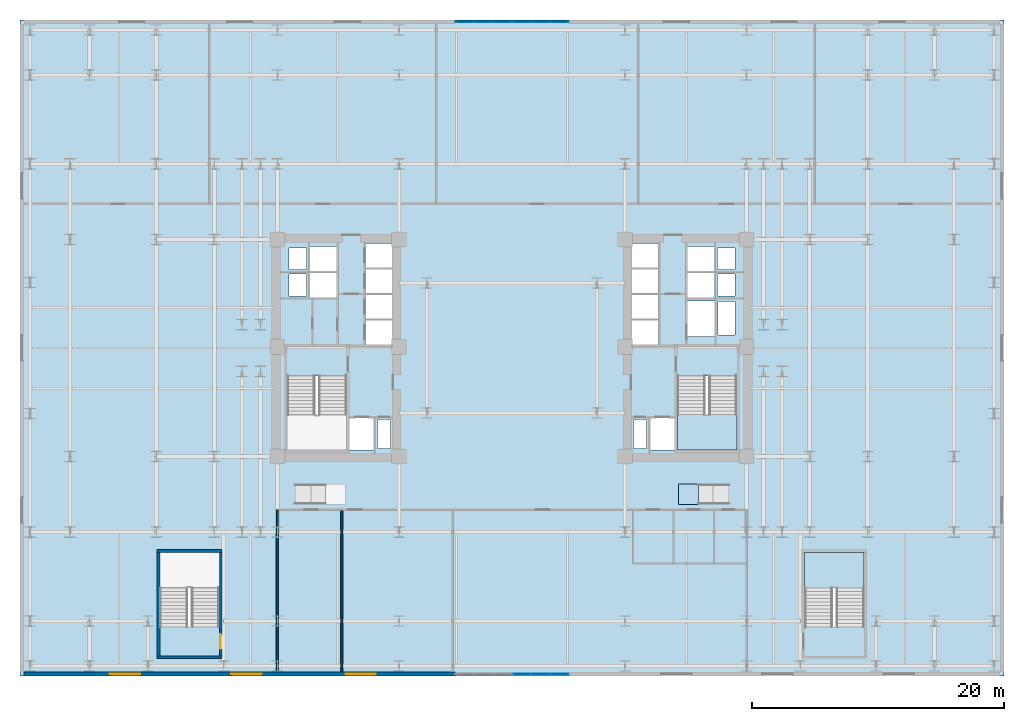
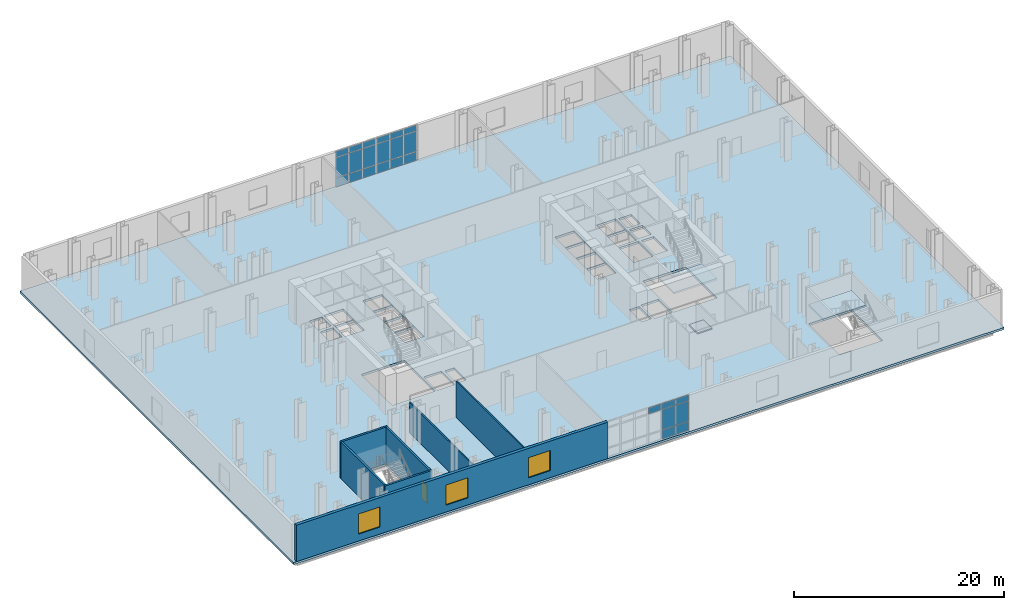
# One storey, part 7 of 13: 25 plates, 7 walls, 4 slabs, 3 windows, 1 door, 4 openings, 5 elements without a shape of their own.
"""IFC4 building model written with IfcOpenShell, lengths in metres."""

from ifc_helpers import new_model, si_unit, direction, frame, frame_2d, origin, origin_2d, place, context, subcontext, project, spatial, polyline, rectangle, outline, extrude, material, layer, layer_set, type_object, element, fill, aggregate, save


model = new_model("IFC4")

# Units and contexts
model_context = context("Model", 3, precision=1e-05, world=origin(), true_north=direction((0.0, 1.0)))
body_context = subcontext(model_context, "Body", "Model", "MODEL_VIEW")
ifc_project = project(units=[si_unit("LENGTHUNIT", "METRE"), si_unit("AREAUNIT", "SQUARE_METRE"), si_unit("VOLUMEUNIT", "CUBIC_METRE"), si_unit("PLANEANGLEUNIT", "RADIAN"), si_unit("MASSUNIT", "GRAM", prefix="KILO")], contexts=[model_context])

# Site, building, storey
site_placement = place(None, origin())
site = spatial("IfcSite", under=ifc_project, at=site_placement, CompositionType="ELEMENT")
building_placement = place(site_placement, origin())
building = spatial("IfcBuilding", under=site, at=building_placement, Name="Velakula Bourse", CompositionType="ELEMENT")
storey_placement = place(building_placement, frame((0.0, 0.0, 5.10009765625)))
storey = spatial("IfcBuildingStorey", under=building, at=storey_placement, Name="L01", CompositionType="ELEMENT", Elevation=5.10009765625)

# Curtain wall, plates
ifc_material_1 = material(Name="Anodised bronze architectural aluminium", Category="aluminium")
ifc_layer_1 = layer(ifc_material_1, 0.199951171875, Name="Anodised bronze architectural aluminium", Category="aluminium")
ifc_layer_set_1 = layer_set([ifc_layer_1], Name="Anodised bronze architectural aluminium")
curtain_wall_type = type_object("IfcCurtainWallType", Name="CW-ST1", PredefinedType="NOTDEFINED", material=ifc_layer_set_1)
curtain_wall_1_placement = place(storey_placement, origin())
curtain_wall_1 = element("IfcCurtainWall", 1, at=curtain_wall_1_placement, inside=storey, type_object=curtain_wall_type, Name="L01 South Station Galleria Curtain Wall 2", PredefinedType="NOTDEFINED")
ifc_material_2 = material(Name="Double-glazed solar-control Low-E glass", Category="glass")
ifc_layer_2 = layer(ifc_material_2, 0.028076171875, Name="Double-glazed solar-control Low-E glass", Category="glass")
ifc_layer_set_2 = layer_set([ifc_layer_2], Name="Double-glazed solar-control Low-E glass")
plate_type = type_object("IfcPlateType", Name="PNL-CW-ST1", PredefinedType="CURTAIN_PANEL", material=ifc_layer_set_2)
plate_1_placement = place(storey_placement, frame((3.735107421875, -25.840087890625, 0.06005859375), z_axis=(0.0, 0.0, 1.0), x_axis=(-1.0, 0.0, 0.0)))
plate_1 = element("IfcPlate", 2, at=plate_1_placement, type_object=plate_type, Name="CW-ST1 panel 1.1", PredefinedType="CURTAIN_PANEL", context=body_context, shape_type="SweptSolid", body=[
    extrude(rectangle(XDim=1.409912109375, YDim=0.028076171875, at=origin_2d()), origin(), (0.0, 0.0, 1.0), 1.010009765625),
])
plate_2_placement = place(storey_placement, frame((3.735107421875, -25.840087890625, 1.1298828125), z_axis=(0.0, 0.0, 1.0), x_axis=(-1.0, 0.0, 0.0)))
plate_2 = element("IfcPlate", 3, at=plate_2_placement, type_object=plate_type, Name="CW-ST1 panel 1.2", PredefinedType="CURTAIN_PANEL", context=body_context, shape_type="SweptSolid", body=[
    extrude(rectangle(XDim=1.409912109375, YDim=0.028076171875, at=origin_2d()), origin(), (0.0, 0.0, 1.0), 2.320068359375),
])
plate_3_placement = place(storey_placement, frame((3.735107421875, -25.840087890625, 3.509765625), z_axis=(0.0, 0.0, 1.0), x_axis=(-1.0, 0.0, 0.0)))
plate_3 = element("IfcPlate", 4, at=plate_3_placement, type_object=plate_type, Name="CW-ST1 panel 1.3", PredefinedType="CURTAIN_PANEL", context=body_context, shape_type="SweptSolid", body=[
    extrude(rectangle(XDim=1.409912109375, YDim=0.028076171875, at=origin_2d()), origin(), (0.0, 0.0, 1.0), 0.659912109375),
])
plate_4_placement = place(storey_placement, frame((2.25, -25.840087890625, 0.06005859375), z_axis=(0.0, 0.0, 1.0), x_axis=(-1.0, 0.0, 0.0)))
plate_4 = element("IfcPlate", 5, at=plate_4_placement, type_object=plate_type, Name="CW-ST1 panel 2.1", PredefinedType="CURTAIN_PANEL", context=body_context, shape_type="SweptSolid", body=[
    extrude(rectangle(XDim=1.43994140625, YDim=0.028076171875, at=origin_2d()), origin(), (0.0, 0.0, 1.0), 1.010009765625),
])
plate_5_placement = place(storey_placement, frame((2.25, -25.840087890625, 1.1298828125), z_axis=(0.0, 0.0, 1.0), x_axis=(-1.0, 0.0, 0.0)))
plate_5 = element("IfcPlate", 6, at=plate_5_placement, type_object=plate_type, Name="CW-ST1 panel 2.2", PredefinedType="CURTAIN_PANEL", context=body_context, shape_type="SweptSolid", body=[
    extrude(rectangle(XDim=1.43994140625, YDim=0.028076171875, at=origin_2d()), origin(), (0.0, 0.0, 1.0), 2.320068359375),
])
plate_6_placement = place(storey_placement, frame((2.25, -25.840087890625, 3.509765625), z_axis=(0.0, 0.0, 1.0), x_axis=(-1.0, 0.0, 0.0)))
plate_6 = element("IfcPlate", 7, at=plate_6_placement, type_object=plate_type, Name="CW-ST1 panel 2.3", PredefinedType="CURTAIN_PANEL", context=body_context, shape_type="SweptSolid", body=[
    extrude(rectangle(XDim=1.43994140625, YDim=0.028076171875, at=origin_2d()), origin(), (0.0, 0.0, 1.0), 0.659912109375),
])
plate_7_placement = place(storey_placement, frame((0.764892578125, -25.840087890625, 3.509765625), z_axis=(0.0, 0.0, 1.0), x_axis=(-1.0, 0.0, 0.0)))
plate_7 = element("IfcPlate", 8, at=plate_7_placement, type_object=plate_type, Name="CW-ST1 panel 3.3", PredefinedType="CURTAIN_PANEL", context=body_context, shape_type="SweptSolid", body=[
    extrude(rectangle(XDim=1.409912109375, YDim=0.028076171875, at=origin_2d()), origin(), (0.0, 0.0, 1.0), 0.659912109375),
])
aggregate(curtain_wall_1, [plate_1, plate_2, plate_3, plate_4, plate_5, plate_6, plate_7])

curtain_wall_2_placement = place(storey_placement, origin())
curtain_wall_2 = element("IfcCurtainWall", 9, at=curtain_wall_2_placement, inside=storey, type_object=curtain_wall_type, Name="L01 North Station Galleria Curtain Wall 2", PredefinedType="NOTDEFINED")
plate_8_placement = place(storey_placement, frame((-3.735107421875, 25.840087890625, 0.06005859375), z_axis=(0.0, 0.0, 1.0), x_axis=(1.0, 0.0, 0.0)))
plate_8 = element("IfcPlate", 10, at=plate_8_placement, type_object=plate_type, Name="CW-ST1 panel 1.1", PredefinedType="CURTAIN_PANEL", context=body_context, shape_type="SweptSolid", body=[
    extrude(rectangle(XDim=1.409912109375, YDim=0.028076171875, at=origin_2d()), origin(), (0.0, 0.0, 1.0), 1.010009765625),
])
plate_9_placement = place(storey_placement, frame((-3.735107421875, 25.840087890625, 1.1298828125), z_axis=(0.0, 0.0, 1.0), x_axis=(1.0, 0.0, 0.0)))
plate_9 = element("IfcPlate", 11, at=plate_9_placement, type_object=plate_type, Name="CW-ST1 panel 1.2", PredefinedType="CURTAIN_PANEL", context=body_context, shape_type="SweptSolid", body=[
    extrude(rectangle(XDim=1.409912109375, YDim=0.028076171875, at=origin_2d()), origin(), (0.0, 0.0, 1.0), 2.320068359375),
])
plate_10_placement = place(storey_placement, frame((-3.735107421875, 25.840087890625, 3.509765625), z_axis=(0.0, 0.0, 1.0), x_axis=(1.0, 0.0, 0.0)))
plate_10 = element("IfcPlate", 12, at=plate_10_placement, type_object=plate_type, Name="CW-ST1 panel 1.3", PredefinedType="CURTAIN_PANEL", context=body_context, shape_type="SweptSolid", body=[
    extrude(rectangle(XDim=1.409912109375, YDim=0.028076171875, at=origin_2d()), origin(), (0.0, 0.0, 1.0), 0.659912109375),
])
plate_11_placement = place(storey_placement, frame((-2.25, 25.840087890625, 0.06005859375), z_axis=(0.0, 0.0, 1.0), x_axis=(1.0, 0.0, 0.0)))
plate_11 = element("IfcPlate", 13, at=plate_11_placement, type_object=plate_type, Name="CW-ST1 panel 2.1", PredefinedType="CURTAIN_PANEL", context=body_context, shape_type="SweptSolid", body=[
    extrude(rectangle(XDim=1.43994140625, YDim=0.028076171875, at=origin_2d()), origin(), (0.0, 0.0, 1.0), 1.010009765625),
])
plate_12_placement = place(storey_placement, frame((-2.25, 25.840087890625, 1.1298828125), z_axis=(0.0, 0.0, 1.0), x_axis=(1.0, 0.0, 0.0)))
plate_12 = element("IfcPlate", 14, at=plate_12_placement, type_object=plate_type, Name="CW-ST1 panel 2.2", PredefinedType="CURTAIN_PANEL", context=body_context, shape_type="SweptSolid", body=[
    extrude(rectangle(XDim=1.43994140625, YDim=0.028076171875, at=origin_2d()), origin(), (0.0, 0.0, 1.0), 2.320068359375),
])
plate_13_placement = place(storey_placement, frame((-2.25, 25.840087890625, 3.509765625), z_axis=(0.0, 0.0, 1.0), x_axis=(1.0, 0.0, 0.0)))
plate_13 = element("IfcPlate", 15, at=plate_13_placement, type_object=plate_type, Name="CW-ST1 panel 2.3", PredefinedType="CURTAIN_PANEL", context=body_context, shape_type="SweptSolid", body=[
    extrude(rectangle(XDim=1.43994140625, YDim=0.028076171875, at=origin_2d()), origin(), (0.0, 0.0, 1.0), 0.659912109375),
])
plate_14_placement = place(storey_placement, frame((-0.764892578125, 25.840087890625, 0.06005859375), z_axis=(0.0, 0.0, 1.0), x_axis=(1.0, 0.0, 0.0)))
plate_14 = element("IfcPlate", 16, at=plate_14_placement, type_object=plate_type, Name="CW-ST1 panel 3.1", PredefinedType="CURTAIN_PANEL", context=body_context, shape_type="SweptSolid", body=[
    extrude(rectangle(XDim=1.409912109375, YDim=0.028076171875, at=origin_2d()), origin(), (0.0, 0.0, 1.0), 1.010009765625),
])
plate_15_placement = place(storey_placement, frame((-0.764892578125, 25.840087890625, 1.1298828125), z_axis=(0.0, 0.0, 1.0), x_axis=(1.0, 0.0, 0.0)))
plate_15 = element("IfcPlate", 17, at=plate_15_placement, type_object=plate_type, Name="CW-ST1 panel 3.2", PredefinedType="CURTAIN_PANEL", context=body_context, shape_type="SweptSolid", body=[
    extrude(rectangle(XDim=1.409912109375, YDim=0.028076171875, at=origin_2d()), origin(), (0.0, 0.0, 1.0), 2.320068359375),
])
plate_16_placement = place(storey_placement, frame((-0.764892578125, 25.840087890625, 3.509765625), z_axis=(0.0, 0.0, 1.0), x_axis=(1.0, 0.0, 0.0)))
plate_16 = element("IfcPlate", 18, at=plate_16_placement, type_object=plate_type, Name="CW-ST1 panel 3.3", PredefinedType="CURTAIN_PANEL", context=body_context, shape_type="SweptSolid", body=[
    extrude(rectangle(XDim=1.409912109375, YDim=0.028076171875, at=origin_2d()), origin(), (0.0, 0.0, 1.0), 0.659912109375),
])
aggregate(curtain_wall_2, [plate_8, plate_9, plate_10, plate_11, plate_12, plate_13, plate_14, plate_15, plate_16])

curtain_wall_3_placement = place(storey_placement, origin())
curtain_wall_3 = element("IfcCurtainWall", 19, at=curtain_wall_3_placement, inside=storey, type_object=curtain_wall_type, Name="L01 North Station Galleria Curtain Wall 3", PredefinedType="NOTDEFINED")
plate_17_placement = place(storey_placement, frame((0.764892578125, 25.840087890625, 0.06005859375), z_axis=(0.0, 0.0, 1.0), x_axis=(1.0, 0.0, 0.0)))
plate_17 = element("IfcPlate", 20, at=plate_17_placement, type_object=plate_type, Name="CW-ST1 panel 1.1", PredefinedType="CURTAIN_PANEL", context=body_context, shape_type="SweptSolid", body=[
    extrude(rectangle(XDim=1.409912109375, YDim=0.028076171875, at=origin_2d()), origin(), (0.0, 0.0, 1.0), 1.010009765625),
])
plate_18_placement = place(storey_placement, frame((0.764892578125, 25.840087890625, 1.1298828125), z_axis=(0.0, 0.0, 1.0), x_axis=(1.0, 0.0, 0.0)))
plate_18 = element("IfcPlate", 21, at=plate_18_placement, type_object=plate_type, Name="CW-ST1 panel 1.2", PredefinedType="CURTAIN_PANEL", context=body_context, shape_type="SweptSolid", body=[
    extrude(rectangle(XDim=1.409912109375, YDim=0.028076171875, at=origin_2d()), origin(), (0.0, 0.0, 1.0), 2.320068359375),
])
plate_19_placement = place(storey_placement, frame((0.764892578125, 25.840087890625, 3.509765625), z_axis=(0.0, 0.0, 1.0), x_axis=(1.0, 0.0, 0.0)))
plate_19 = element("IfcPlate", 22, at=plate_19_placement, type_object=plate_type, Name="CW-ST1 panel 1.3", PredefinedType="CURTAIN_PANEL", context=body_context, shape_type="SweptSolid", body=[
    extrude(rectangle(XDim=1.409912109375, YDim=0.028076171875, at=origin_2d()), origin(), (0.0, 0.0, 1.0), 0.659912109375),
])
plate_20_placement = place(storey_placement, frame((2.25, 25.840087890625, 0.06005859375), z_axis=(0.0, 0.0, 1.0), x_axis=(1.0, 0.0, 0.0)))
plate_20 = element("IfcPlate", 23, at=plate_20_placement, type_object=plate_type, Name="CW-ST1 panel 2.1", PredefinedType="CURTAIN_PANEL", context=body_context, shape_type="SweptSolid", body=[
    extrude(rectangle(XDim=1.43994140625, YDim=0.028076171875, at=origin_2d()), origin(), (0.0, 0.0, 1.0), 1.010009765625),
])
plate_21_placement = place(storey_placement, frame((2.25, 25.840087890625, 1.1298828125), z_axis=(0.0, 0.0, 1.0), x_axis=(1.0, 0.0, 0.0)))
plate_21 = element("IfcPlate", 24, at=plate_21_placement, type_object=plate_type, Name="CW-ST1 panel 2.2", PredefinedType="CURTAIN_PANEL", context=body_context, shape_type="SweptSolid", body=[
    extrude(rectangle(XDim=1.43994140625, YDim=0.028076171875, at=origin_2d()), origin(), (0.0, 0.0, 1.0), 2.320068359375),
])
plate_22_placement = place(storey_placement, frame((2.25, 25.840087890625, 3.509765625), z_axis=(0.0, 0.0, 1.0), x_axis=(1.0, 0.0, 0.0)))
plate_22 = element("IfcPlate", 25, at=plate_22_placement, type_object=plate_type, Name="CW-ST1 panel 2.3", PredefinedType="CURTAIN_PANEL", context=body_context, shape_type="SweptSolid", body=[
    extrude(rectangle(XDim=1.43994140625, YDim=0.028076171875, at=origin_2d()), origin(), (0.0, 0.0, 1.0), 0.659912109375),
])
plate_23_placement = place(storey_placement, frame((3.735107421875, 25.840087890625, 0.06005859375), z_axis=(0.0, 0.0, 1.0), x_axis=(1.0, 0.0, 0.0)))
plate_23 = element("IfcPlate", 26, at=plate_23_placement, type_object=plate_type, Name="CW-ST1 panel 3.1", PredefinedType="CURTAIN_PANEL", context=body_context, shape_type="SweptSolid", body=[
    extrude(rectangle(XDim=1.409912109375, YDim=0.028076171875, at=origin_2d()), origin(), (0.0, 0.0, 1.0), 1.010009765625),
])
plate_24_placement = place(storey_placement, frame((3.735107421875, 25.840087890625, 1.1298828125), z_axis=(0.0, 0.0, 1.0), x_axis=(1.0, 0.0, 0.0)))
plate_24 = element("IfcPlate", 27, at=plate_24_placement, type_object=plate_type, Name="CW-ST1 panel 3.2", PredefinedType="CURTAIN_PANEL", context=body_context, shape_type="SweptSolid", body=[
    extrude(rectangle(XDim=1.409912109375, YDim=0.028076171875, at=origin_2d()), origin(), (0.0, 0.0, 1.0), 2.320068359375),
])
plate_25_placement = place(storey_placement, frame((3.735107421875, 25.840087890625, 3.509765625), z_axis=(0.0, 0.0, 1.0), x_axis=(1.0, 0.0, 0.0)))
plate_25 = element("IfcPlate", 28, at=plate_25_placement, type_object=plate_type, Name="CW-ST1 panel 3.3", PredefinedType="CURTAIN_PANEL", context=body_context, shape_type="SweptSolid", body=[
    extrude(rectangle(XDim=1.409912109375, YDim=0.028076171875, at=origin_2d()), origin(), (0.0, 0.0, 1.0), 0.659912109375),
])
aggregate(curtain_wall_3, [plate_17, plate_18, plate_19, plate_20, plate_21, plate_22, plate_23, plate_24, plate_25])

# Slabs
ifc_material_3 = material(Name="Concrete M50 (fck 50 MPa)", Category="concrete")
ifc_layer_3 = layer(ifc_material_3, 0.25, Name="Concrete M50 (fck 50 MPa)", Category="concrete")
ifc_layer_set_3 = layer_set([ifc_layer_3], Name="Concrete M50 (fck 50 MPa)")
slab_type_1 = type_object("IfcSlabType", Name="SLB-POD-250", PredefinedType="FLOOR", material=ifc_layer_set_3)
slab_1_placement = place(storey_placement, frame((0.0, 0.0, -0.25)))
element("IfcSlab", 29, at=slab_1_placement, inside=storey, type_object=slab_type_1, Name="L01 Suspended Structural Floor Slab", PredefinedType="FLOOR", context=body_context, shape_type="SweptSolid", body=[
    extrude(outline(polyline([(-39.0, -26.0), (39.0, -26.0), (39.0, 26.0), (-39.0, 26.0), (-39.0, -26.0)]), holes=[polyline([(-17.820068359375, -8.10009765625), (-13.10009765625, -8.10009765625), (-13.10009765625, -2.199951171875), (-17.820068359375, -2.199951171875), (-17.820068359375, -8.10009765625)]), polyline([(13.10009765625, -8.10009765625), (17.820068359375, -8.10009765625), (17.820068359375, -2.199951171875), (13.10009765625, -2.199951171875), (13.10009765625, -8.10009765625)]), polyline([(-27.919921875, -22.10009765625), (-23.199951171875, -22.10009765625), (-23.199951171875, -16.199951171875), (-27.919921875, -16.199951171875), (-27.919921875, -22.10009765625)]), polyline([(23.199951171875, -22.10009765625), (27.919921875, -22.10009765625), (27.919921875, -16.199951171875), (23.199951171875, -16.199951171875), (23.199951171875, -22.10009765625)]), polyline([(-12.89990234375, -8.10009765625), (-10.949951171875, -8.10009765625), (-10.949951171875, -5.550048828125), (-12.89990234375, -5.550048828125), (-12.89990234375, -8.10009765625)]), polyline([(10.949951171875, -8.10009765625), (12.89990234375, -8.10009765625), (12.89990234375, -5.550048828125), (10.949951171875, -5.550048828125), (10.949951171875, -8.10009765625)]), polyline([(13.89990234375, 0.919921875), (16.050048828125, 0.919921875), (16.050048828125, 3.719970703125), (13.89990234375, 3.719970703125), (13.89990234375, 0.919921875)]), polyline([(-10.679931640625, -7.97998046875), (-9.6201171875, -7.97998046875), (-9.6201171875, -5.669921875), (-10.679931640625, -5.669921875), (-10.679931640625, -7.97998046875)]), polyline([(-17.679931640625, 4.139892578125), (-16.27001953125, 4.139892578125), (-16.27001953125, 5.85009765625), (-17.679931640625, 5.85009765625), (-17.679931640625, 4.139892578125)]), polyline([(-17.679931640625, 6.2099609375), (-16.27001953125, 6.2099609375), (-16.27001953125, 7.919921875), (-17.679931640625, 7.919921875), (-17.679931640625, 6.2099609375)]), polyline([(9.6201171875, -7.97998046875), (10.679931640625, -7.97998046875), (10.679931640625, -5.669921875), (9.6201171875, -5.669921875), (9.6201171875, -7.97998046875)]), polyline([(16.27001953125, 4.139892578125), (17.679931640625, 4.139892578125), (17.679931640625, 5.85009765625), (16.27001953125, 5.85009765625), (16.27001953125, 4.139892578125)]), polyline([(16.27001953125, 6.2099609375), (17.679931640625, 6.2099609375), (17.679931640625, 7.919921875), (16.27001953125, 7.919921875), (16.27001953125, 6.2099609375)]), polyline([(16.320068359375, 1.0400390625), (17.679931640625, 1.0400390625), (17.679931640625, 3.699951171875), (16.320068359375, 3.699951171875), (16.320068359375, 1.0400390625)]), polyline([(-11.60009765625, 0.280029296875), (-9.5, 0.280029296875), (-9.5, 2.199951171875), (-11.60009765625, 2.199951171875), (-11.60009765625, 0.280029296875)]), polyline([(-11.60009765625, 2.31005859375), (-9.5, 2.31005859375), (-9.5, 4.22998046875), (-11.60009765625, 4.22998046875), (-11.60009765625, 2.31005859375)]), polyline([(-11.60009765625, 4.340087890625), (-9.5, 4.340087890625), (-9.5, 6.260009765625), (-11.60009765625, 6.260009765625), (-11.60009765625, 4.340087890625)]), polyline([(-11.60009765625, 6.3701171875), (-9.5, 6.3701171875), (-9.5, 8.2900390625), (-11.60009765625, 8.2900390625), (-11.60009765625, 6.3701171875)]), polyline([(9.5, 0.280029296875), (11.60009765625, 0.280029296875), (11.60009765625, 2.199951171875), (9.5, 2.199951171875), (9.5, 0.280029296875)]), polyline([(9.5, 2.31005859375), (11.60009765625, 2.31005859375), (11.60009765625, 4.22998046875), (9.5, 4.22998046875), (9.5, 2.31005859375)]), polyline([(9.5, 4.340087890625), (11.60009765625, 4.340087890625), (11.60009765625, 6.260009765625), (9.5, 6.260009765625), (9.5, 4.340087890625)]), polyline([(9.5, 6.3701171875), (11.60009765625, 6.3701171875), (11.60009765625, 8.2900390625), (9.5, 8.2900390625), (9.5, 6.3701171875)]), polyline([(-16.0, 4.02001953125), (-13.89990234375, 4.02001953125), (-13.89990234375, 5.969970703125), (-16.0, 5.969970703125), (-16.0, 4.02001953125)]), polyline([(-16.0, 6.090087890625), (-13.89990234375, 6.090087890625), (-13.89990234375, 8.0400390625), (-16.0, 8.0400390625), (-16.0, 6.090087890625)]), polyline([(13.89990234375, 4.02001953125), (16.0, 4.02001953125), (16.0, 5.969970703125), (13.89990234375, 5.969970703125), (13.89990234375, 4.02001953125)]), polyline([(13.89990234375, 6.090087890625), (16.0, 6.090087890625), (16.0, 8.0400390625), (13.89990234375, 8.0400390625), (13.89990234375, 6.090087890625)])]), origin(), (0.0, 0.0, 1.0), 0.25),
])
ifc_material_4 = material(Name="Concrete M45 (fck 45 MPa)", Category="concrete")
ifc_layer_4 = layer(ifc_material_4, 0.2099609375, Name="Concrete M45 (fck 45 MPa)", Category="concrete")
ifc_layer_set_4 = layer_set([ifc_layer_4], Name="Concrete M45 (fck 45 MPa)")
slab_type_2 = type_object("IfcSlabType", Name="SLB-RAMP-LND-210", PredefinedType="LANDING", material=ifc_layer_set_4)
slab_2_placement = place(storey_placement, origin())
element("IfcSlab", 30, at=slab_2_placement, inside=storey, type_object=slab_type_2, Name="L01 East Concourse Step-Free Ramp Upper Concourse Landing", PredefinedType="LANDING", context=body_context, shape_type="SweptSolid", body=[
    extrude(outline(polyline([(13.199951171875, -12.39990234375), (14.800048828125, -12.39990234375), (14.800048828125, -10.800048828125), (13.199951171875, -10.800048828125), (13.199951171875, -12.39990234375)])), origin(), (0.0, 0.0, 1.0), 0.14990234375),
])

# Stair, slab
stair_type = type_object("IfcStairType", Name="STR-DOG-435", PredefinedType="HALF_TURN_STAIR", material=ifc_material_4)
stair_1_placement = place(storey_placement, origin())
stair_1 = element("IfcStair", 31, at=stair_1_placement, inside=storey, type_object=stair_type, Name="L01 East Core Exit Stair ST-E1", PredefinedType="HALF_TURN_STAIR")
ifc_layer_5 = layer(ifc_material_4, 0.199951171875, Name="Concrete M45 (fck 45 MPa)", Category="concrete")
ifc_layer_set_5 = layer_set([ifc_layer_5], Name="Concrete M45 (fck 45 MPa)")
slab_type_3 = type_object("IfcSlabType", Name="SLB-STAIR-LND-200", PredefinedType="LANDING", material=ifc_layer_set_5)
slab_3_placement = place(storey_placement, frame((0.0, 0.0, 2.0498046875)))
slab_3 = element("IfcSlab", 32, at=slab_3_placement, type_object=slab_type_3, Name="ST-E1 landing 1", PredefinedType="LANDING", context=body_context, shape_type="SweptSolid", body=[
    extrude(outline(polyline([(13.10009765625, -5.280029296875), (13.10009765625, -8.10009765625), (17.820068359375, -8.10009765625), (17.820068359375, -5.280029296875), (13.10009765625, -5.280029296875)])), origin(), (0.0, 0.0, 1.0), 0.2001953125),
])
aggregate(stair_1, [slab_3])

stair_2_placement = place(storey_placement, origin())
stair_2 = element("IfcStair", 33, at=stair_2_placement, inside=storey, type_object=stair_type, Name="L01 East Podium Exit Stair ST-P2", PredefinedType="HALF_TURN_STAIR")
slab_4_placement = place(storey_placement, frame((0.0, 0.0, 2.0498046875)))
slab_4 = element("IfcSlab", 34, at=slab_4_placement, type_object=slab_type_3, Name="ST-P2 landing 1", PredefinedType="LANDING", context=body_context, shape_type="SweptSolid", body=[
    extrude(outline(polyline([(27.919921875, -19.02001953125), (27.919921875, -16.199951171875), (23.199951171875, -16.199951171875), (23.199951171875, -19.02001953125), (27.919921875, -19.02001953125)])), origin(), (0.0, 0.0, 1.0), 0.2001953125),
])
aggregate(stair_2, [slab_4])

# Walls
ifc_layer_6 = layer(ifc_material_3, 0.2099609375, Name="Concrete M50 (fck 50 MPa)", Category="concrete")
ifc_layer_set_6 = layer_set([ifc_layer_6], Name="Concrete M50 (fck 50 MPa)")
wall_type_1 = type_object("IfcWallType", Name="WL-CORE-210", PredefinedType="SHEAR", material=ifc_layer_set_6)
for number, where, z_axis, x_axis, name in (
    (35, (-28.1298828125, -24.5048828125, 0.0), (0.0, 0.0, 1.0), (1.0, 0.0, 0.0), "L01 Podium Stair ST-P1 Shear Wall S"),
    (36, (-28.1298828125, -16.094970703125, 0.0), (0.0, 0.0, 1.0), (1.0, 0.0, 0.0), "L01 Podium Stair ST-P1 Shear Wall N"),
):
    element("IfcWall", number, at=place(storey_placement, frame(where, z_axis=z_axis, x_axis=x_axis)), inside=storey, type_object=wall_type_1, Name=name, PredefinedType="SHEAR", context=body_context, shape_type="SweptSolid", body=[
        extrude(rectangle(XDim=5.139892578125, YDim=0.2099609375, at=frame_2d((2.56982421875, 0.0))), origin(), (0.0, 0.0, 1.0), 4.25),
    ])
wall_1_placement = place(storey_placement, frame((-28.02490234375, -24.39990234375, 0.0), z_axis=(0.0, 0.0, 1.0), x_axis=(0.0, 1.0, 0.0)))
element("IfcWall", 37, at=wall_1_placement, inside=storey, type_object=wall_type_1, Name="L01 Podium Stair ST-P1 Shear Wall W", PredefinedType="SHEAR", context=body_context, shape_type="SweptSolid", body=[
    extrude(rectangle(XDim=8.199951171875, YDim=0.2099609375, at=frame_2d((4.10009765625, 0.0))), origin(), (0.0, 0.0, 1.0), 4.25),
])

# Wall, opening, door
wall_2_placement = place(storey_placement, frame((-23.094970703125, -24.39990234375, 0.0), z_axis=(0.0, 0.0, 1.0), x_axis=(0.0, 1.0, 0.0)))
wall_2 = element("IfcWall", 38, at=wall_2_placement, inside=storey, type_object=wall_type_1, Name="L01 Podium Stair ST-P1 Shear Wall E", PredefinedType="SHEAR", context=body_context, shape_type="SweptSolid", body=[
    extrude(rectangle(XDim=8.199951171875, YDim=0.2099609375, at=frame_2d((4.10009765625, 0.0))), origin(), (0.0, 0.0, 1.0), 4.25),
])
opening_1_placement = place(wall_2_placement, frame((0.550048828125, 0.0, 0.0)))
opening_1 = element("IfcOpeningElement", 39, at=opening_1_placement, cuts=wall_2, Name="Opening D-P1", PredefinedType="OPENING", context=body_context, shape_type="SweptSolid", body=[
    extrude(rectangle(XDim=1.14990234375, YDim=2.10009765625, at=frame_2d((0.574951171875, 1.050048828125))), frame((0.0, 0.114990234375, 0.0), z_axis=(0.0, -1.0, 0.0), x_axis=(1.0, 0.0, 0.0)), (0.0, 0.0, 1.0), 0.22998046875),
])
ifc_material_5 = material(Name="Galvanised painted hollow steel fire door", Category="steel")
door_type = type_object("IfcDoorType", Name="DR-FD120-1150x2100", OperationType="NOTDEFINED", PredefinedType="DOOR", material=ifc_material_5)
door_placement = place(opening_1_placement, origin())
door = element("IfcDoor", 40, at=door_placement, inside=storey, type_object=door_type, Name="L01 Stair ST-P1 Fire Door", OperationType="SINGLE_SWING_LEFT", OverallHeight=2.10009765625, OverallWidth=1.14990234375, PredefinedType="DOOR", context=body_context, shape_type="SweptSolid", body=[
    extrude(rectangle(XDim=1.14990234375, YDim=2.10009765625, at=frame_2d((0.574951171875, 1.050048828125))), frame((0.0, 0.02490234375, 0.0), z_axis=(0.0, -1.0, 0.0), x_axis=(1.0, 0.0, 0.0)), (0.0, 0.0, 1.0), 0.050048828125),
])
fill(opening_1, door)

# Wall, openings, windows
ifc_material_6 = material(Name="Red kilned clay facing brick masonry", Category="masonry")
ifc_layer_7 = layer(ifc_material_6, 0.320068359375, Name="Red kilned clay facing brick masonry", Category="masonry")
ifc_layer_set_7 = layer_set([ifc_layer_7], Name="Red kilned clay facing brick masonry")
wall_type_2 = type_object("IfcWallType", Name="WL-EXT-BRK-320", PredefinedType="STANDARD", material=ifc_layer_set_7)
wall_3_placement = place(storey_placement, frame((-4.5, -25.840087890625, 0.0), z_axis=(0.0, 0.0, 1.0), x_axis=(-1.0, 0.0, 0.0)))
wall_3 = element("IfcWall", 41, at=wall_3_placement, inside=storey, type_object=wall_type_2, Name="L01 South Brick Facade Wall 4", PredefinedType="STANDARD", context=body_context, shape_type="SweptSolid", body=[
    extrude(rectangle(XDim=34.179931640625, YDim=0.320068359375, at=frame_2d((17.08984375, 0.0))), origin(), (0.0, 0.0, 1.0), 4.22998046875),
])
opening_2_placement = place(wall_3_placement, frame((6.294921875, 0.0, 0.800048828125)))
opening_2 = element("IfcOpeningElement", 42, at=opening_2_placement, cuts=wall_3, Name="Opening W-06", PredefinedType="OPENING", context=body_context, shape_type="SweptSolid", body=[
    extrude(rectangle(XDim=2.39990234375, YDim=2.35009765625, at=frame_2d((1.199951171875, 1.175048828125))), frame((0.0, 0.169921875, 0.0), z_axis=(0.0, -1.0, 0.0), x_axis=(1.0, 0.0, 0.0)), (0.0, 0.0, 1.0), 0.340087890625),
])
opening_3_placement = place(wall_3_placement, frame((15.340087890625, 0.0, 0.800048828125)))
opening_3 = element("IfcOpeningElement", 43, at=opening_3_placement, cuts=wall_3, Name="Opening W-06", PredefinedType="OPENING", context=body_context, shape_type="SweptSolid", body=[
    extrude(rectangle(XDim=2.39990234375, YDim=2.35009765625, at=frame_2d((1.199951171875, 1.175048828125))), frame((0.0, 0.169921875, 0.0), z_axis=(0.0, -1.0, 0.0), x_axis=(1.0, 0.0, 0.0)), (0.0, 0.0, 1.0), 0.340087890625),
])
opening_4_placement = place(wall_3_placement, frame((24.985107421875, 0.0, 0.800048828125)))
opening_4 = element("IfcOpeningElement", 44, at=opening_4_placement, cuts=wall_3, Name="Opening W-06", PredefinedType="OPENING", context=body_context, shape_type="SweptSolid", body=[
    extrude(rectangle(XDim=2.39990234375, YDim=2.35009765625, at=frame_2d((1.199951171875, 1.175048828125))), frame((0.0, 0.169921875, 0.0), z_axis=(0.0, -1.0, 0.0), x_axis=(1.0, 0.0, 0.0)), (0.0, 0.0, 1.0), 0.340087890625),
])
window_type = type_object("IfcWindowType", Name="WIN-POD-2400x2600", PartitioningType="DOUBLE_PANEL_VERTICAL", PredefinedType="WINDOW", material=ifc_material_2)
window_1_placement = place(opening_2_placement, origin())
window_1 = element("IfcWindow", 45, at=window_1_placement, inside=storey, type_object=window_type, Name="L01 Deep-Set Recessed Window 1", OverallHeight=2.35009765625, OverallWidth=2.39990234375, PartitioningType="DOUBLE_PANEL_VERTICAL", PredefinedType="WINDOW", context=body_context, shape_type="SweptSolid", body=[
    extrude(rectangle(XDim=2.39990234375, YDim=2.35009765625, at=frame_2d((1.199951171875, 1.175048828125))), frame((0.0, 0.030029296875, 0.0), z_axis=(0.0, -1.0, 0.0), x_axis=(1.0, 0.0, 0.0)), (0.0, 0.0, 1.0), 0.06005859375),
])
fill(opening_2, window_1)
window_2_placement = place(opening_3_placement, origin())
window_2 = element("IfcWindow", 46, at=window_2_placement, inside=storey, type_object=window_type, Name="L01 Deep-Set Recessed Window 2", OverallHeight=2.35009765625, OverallWidth=2.39990234375, PartitioningType="DOUBLE_PANEL_VERTICAL", PredefinedType="WINDOW", context=body_context, shape_type="SweptSolid", body=[
    extrude(rectangle(XDim=2.39990234375, YDim=2.35009765625, at=frame_2d((1.199951171875, 1.175048828125))), frame((0.0, 0.030029296875, 0.0), z_axis=(0.0, -1.0, 0.0), x_axis=(1.0, 0.0, 0.0)), (0.0, 0.0, 1.0), 0.06005859375),
])
fill(opening_3, window_2)
window_3_placement = place(opening_4_placement, origin())
window_3 = element("IfcWindow", 47, at=window_3_placement, inside=storey, type_object=window_type, Name="L01 Deep-Set Recessed Window 3", OverallHeight=2.35009765625, OverallWidth=2.39990234375, PartitioningType="DOUBLE_PANEL_VERTICAL", PredefinedType="WINDOW", context=body_context, shape_type="SweptSolid", body=[
    extrude(rectangle(XDim=2.39990234375, YDim=2.35009765625, at=frame_2d((1.199951171875, 1.175048828125))), frame((0.0, 0.030029296875, 0.0), z_axis=(0.0, -1.0, 0.0), x_axis=(1.0, 0.0, 0.0)), (0.0, 0.0, 1.0), 0.06005859375),
])
fill(opening_4, window_3)

# Walls
ifc_material_7 = material(Name="Fire-rated double-layer gypsum drywall partition", Category="gypsum")
ifc_layer_8 = layer(ifc_material_7, 0.139892578125, Name="Fire-rated double-layer gypsum drywall partition", Category="gypsum")
ifc_layer_set_8 = layer_set([ifc_layer_8], Name="Fire-rated double-layer gypsum drywall partition")
wall_type_3 = type_object("IfcWallType", Name="WL-PART-140", PredefinedType="STANDARD", material=ifc_layer_set_8)
wall_4_placement = place(storey_placement, frame((-18.60009765625, -25.679931640625, 0.0), z_axis=(0.0, 0.0, 1.0), x_axis=(0.0, 1.0, 0.0)))
element("IfcWall", 48, at=wall_4_placement, inside=storey, type_object=wall_type_3, Name="L01 Interior Partition WL-POD-L01-SW-END", PredefinedType="STANDARD", context=body_context, shape_type="SweptSolid", body=[
    extrude(rectangle(XDim=12.85986328125, YDim=0.139892578125, at=frame_2d((6.429931640625, 0.0))), origin(), (0.0, 0.0, 1.0), 3.52490234375),
])
wall_5_placement = place(storey_placement, frame((-13.5, -25.679931640625, 0.0), z_axis=(0.0, 0.0, 1.0), x_axis=(0.0, 1.0, 0.0)))
element("IfcWall", 49, at=wall_5_placement, inside=storey, type_object=wall_type_3, Name="L01 Interior Partition WL-POD-L01-SD1", PredefinedType="STANDARD", context=body_context, shape_type="SweptSolid", body=[
    extrude(rectangle(XDim=12.7900390625, YDim=0.139892578125, at=frame_2d((6.39501953125, 0.0))), origin(), (0.0, 0.0, 1.0), 4.22998046875),
])

save(model, "model.ifc")
